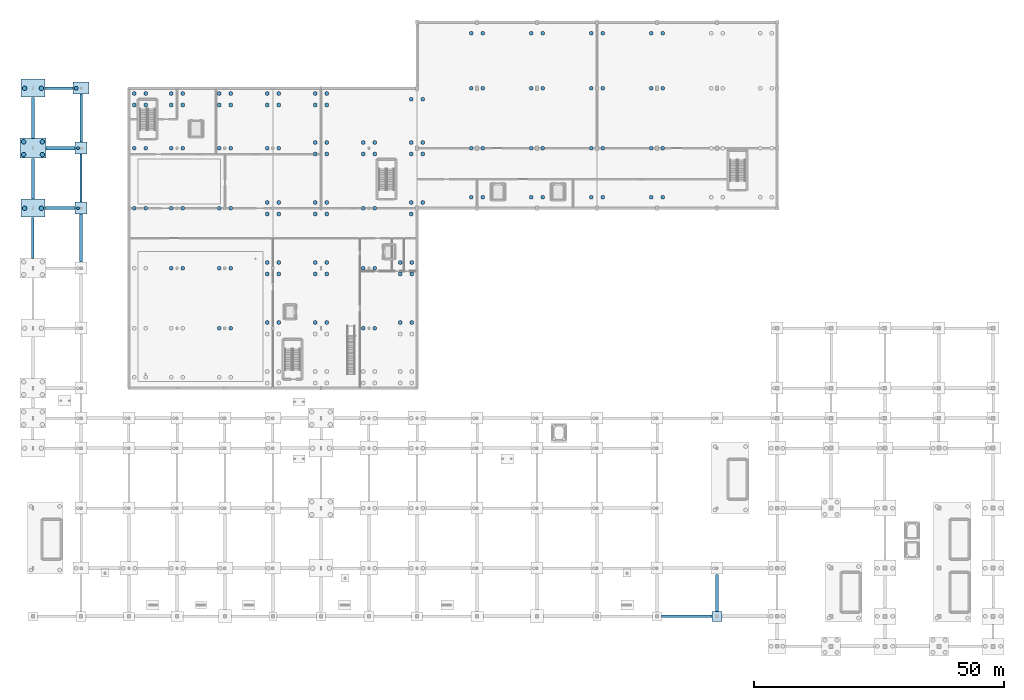
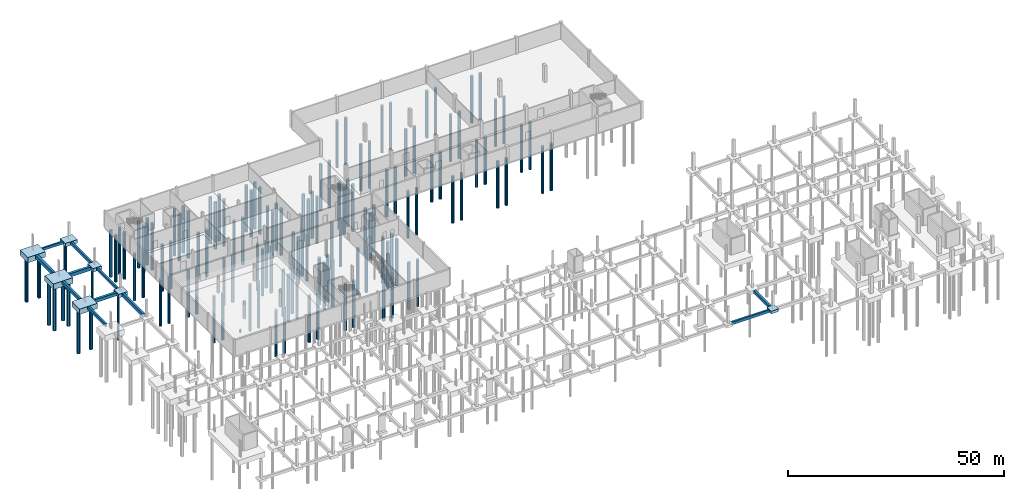
# One storey, part 4 of 31: 132 piles, 18 footings.
"""IFC4 building model written with IfcOpenShell, lengths in metres."""

import ifcopenshell
import ifcopenshell.guid

model = None  # the IFC model being written
_history = None  # IfcOwnerHistory: only IFC2X3 demands one
_inside = {}  # id of a spatial element -> (the spatial element, [elements in it])
_under = {}  # id of a project, library or spatial element -> (it, [spatial elements below it])
_declared = {}  # id of a project -> (the project, [libraries it declares])
_typed = {}  # id of a type object -> (the type object, [elements of that type])
_made_of = {}  # id of a material, layer set ... -> (it, [elements and type objects made of it])


def new_model(schema):
    """Start an empty IFC model of exactly this schema.

    Asked for "IFC4X3", IfcOpenShell would pick the latest addendum, in which some entities
    have other attributes; the version numbers below select the first issue.
    IFC2X3 requires an IfcOwnerHistory on every rooted entity: one is made here for all.
    """
    global model, _history
    if schema == "IFC4X3":
        model = ifcopenshell.file(schema_version=(4, 3, 0, 0))
    else:
        model = ifcopenshell.file(schema=schema)
    _inside.clear()
    _under.clear()
    _declared.clear()
    _typed.clear()
    _made_of.clear()
    _history = None
    if model.schema == "IFC2X3":
        org = make("IfcOrganization", Name="unknown")
        user = make(
            "IfcPersonAndOrganization",
            ThePerson=make("IfcPerson", FamilyName="unknown"),
            TheOrganization=org,
        )
        app = make(
            "IfcApplication",
            ApplicationDeveloper=org,
            Version="unknown",
            ApplicationFullName="unknown",
            ApplicationIdentifier="unknown",
        )
        _history = make(
            "IfcOwnerHistory",
            OwningUser=user,
            OwningApplication=app,
            ChangeAction="ADDED",
            CreationDate=0,
        )
    return model


def make(cls, **values):
    """One entity of the class cls with the attributes given. An attribute that is None is left unset."""
    return model.create_entity(
        cls, **{name: value for name, value in values.items() if value is not None}
    )


def rooted(cls, **values):
    """An entity with a GlobalId (a new one), such as an element, a storey or a relation."""
    return make(cls, GlobalId=ifcopenshell.guid.new(), OwnerHistory=_history, **values)


def si_unit(unit_type, name, prefix=None):
    """IfcSIUnit, for example si_unit("LENGTHUNIT", "METRE", prefix="MILLI")."""
    return make("IfcSIUnit", UnitType=unit_type, Prefix=prefix, Name=name)


def assignment(units):
    """IfcUnitAssignment: the units of a project."""
    return None if units is None else make("IfcUnitAssignment", Units=units)


def point(xyz):
    """IfcCartesianPoint."""
    return None if xyz is None else make("IfcCartesianPoint", Coordinates=xyz)


def direction(xyz):
    """IfcDirection."""
    return None if xyz is None else make("IfcDirection", DirectionRatios=xyz)


def frame(location, z_axis=None, x_axis=None):
    """IfcAxis2Placement3D, a coordinate frame: its origin and axes. An axis left out is left unset."""
    return make(
        "IfcAxis2Placement3D",
        Location=point(location),
        Axis=direction(z_axis),
        RefDirection=direction(x_axis),
    )


def frame_2d(location, x_axis=None):
    """IfcAxis2Placement2D, a coordinate frame in the plane: its origin and x axis."""
    return make(
        "IfcAxis2Placement2D", Location=point(location), RefDirection=direction(x_axis)
    )


def origin():
    """The frame at (0, 0, 0) with its axes left unset."""
    return frame((0.0, 0.0, 0.0))


def origin_2d():
    """The frame at (0, 0) in the plane with its x axis left unset."""
    return frame_2d((0.0, 0.0))


def place(relative_to, where):
    """IfcLocalPlacement: puts the frame where relative to a parent placement (None: the world)."""
    return make(
        "IfcLocalPlacement", PlacementRelTo=relative_to, RelativePlacement=where
    )


def context(
    kind, dimensions, precision=None, world=None, true_north=None, identifier=None
):
    """IfcGeometricRepresentationContext, for example the 3D "Model" context."""
    return make(
        "IfcGeometricRepresentationContext",
        ContextIdentifier=identifier,
        ContextType=kind,
        CoordinateSpaceDimension=dimensions,
        Precision=precision,
        WorldCoordinateSystem=world,
        TrueNorth=true_north,
    )


def subcontext(parent, identifier, kind, view, scale=None):
    """IfcGeometricRepresentationSubContext, for example "Body" below "Model"."""
    return make(
        "IfcGeometricRepresentationSubContext",
        ContextIdentifier=identifier,
        ContextType=kind,
        ParentContext=parent,
        TargetScale=scale,
        TargetView=view,
    )


def project(units=None, contexts=None):
    """IfcProject with its units and contexts."""
    return rooted(
        "IfcProject",
        Name="project",
        RepresentationContexts=contexts,
        UnitsInContext=assignment(units),
    )


def spatial(cls, under=None, at=None, **own):
    """A site, building, storey or space (cls), placed at a placement, below another one or the project."""
    s = rooted(cls, ObjectPlacement=at, **own)
    if under is not None:
        _under.setdefault(under.id(), (under, []))[1].append(s)
    return s


def profile(cls, at=None, kind="AREA", **sizes):
    """A parametric profile (cls). Its sizes go by their IFC names, for example OverallWidth=200.0."""
    return make(cls, ProfileType=kind, Position=at, **sizes)


def rectangle(**sizes):
    """IfcRectangleProfileDef."""
    return profile("IfcRectangleProfileDef", **sizes)


def circle(**sizes):
    """IfcCircleProfileDef."""
    return profile("IfcCircleProfileDef", **sizes)


def extrude(swept, where, along, depth):
    """IfcExtrudedAreaSolid: the profile swept, set in the frame where, extruded along a direction by depth."""
    return make(
        "IfcExtrudedAreaSolid",
        SweptArea=swept,
        Position=where,
        ExtrudedDirection=direction(along),
        Depth=depth,
    )


def shape(context_of_items, identifier, shape_type, items):
    """IfcShapeRepresentation: the items that make up one representation, for example the "Body"."""
    return make(
        "IfcShapeRepresentation",
        ContextOfItems=context_of_items,
        RepresentationIdentifier=identifier,
        RepresentationType=shape_type,
        Items=items,
    )


def material(Name=None, Category=None):
    """IfcMaterial."""
    return make("IfcMaterial", Name=Name, Category=Category)


def layer(
    of_material, thickness, ventilated=None, Name=None, Category=None, Priority=None
):
    """IfcMaterialLayer: one layer of a wall or slab, of a material (None: an air gap)."""
    return make(
        "IfcMaterialLayer",
        Material=of_material,
        LayerThickness=thickness,
        IsVentilated=ventilated,
        Name=Name,
        Category=Category,
        Priority=Priority,
    )


def layer_set(layers, Name=None):
    """IfcMaterialLayerSet."""
    return make("IfcMaterialLayerSet", MaterialLayers=layers, LayerSetName=Name)


def material_profile(
    of_material, cross_section, Name=None, Category=None, Priority=None
):
    """IfcMaterialProfile: a cross section and its material."""
    return make(
        "IfcMaterialProfile",
        Name=Name,
        Material=of_material,
        Profile=cross_section,
        Priority=Priority,
        Category=Category,
    )


def profile_set(profiles, Name=None, composite=None):
    """IfcMaterialProfileSet."""
    return make(
        "IfcMaterialProfileSet",
        Name=Name,
        MaterialProfiles=profiles,
        CompositeProfile=composite,
    )


def made_of(thing, what):
    """Note that an element or type object is made of a material, layer set ...; save() writes the relation."""
    if what is not None:
        _made_of.setdefault(what.id(), (what, []))[1].append(thing)
    return thing


def type_object(cls, material=None, **own):
    """A type object (cls), such as IfcWallType, which elements share."""
    return made_of(rooted(cls, **own), material)


def element(
    cls,
    number,
    at=None,
    inside=None,
    cuts=None,
    type_object=None,
    material=None,
    context=None,
    identifier="Body",
    shape_type=None,
    held_by="IfcProductDefinitionShape",
    body=None,
    shapes=None,
    **own,
):
    """One element of the class cls, such as IfcWall. Its Tag is "e" and its number.

    at: its placement. inside: the storey or other place that contains it. cuts: it is an
    opening in that element (IfcRelVoidsElement). A single representation is given by context,
    identifier, shape_type and body (its items); several are given by shapes. held_by: the class
    of the entity that holds the representations. save() writes the other relations.
    """
    e = rooted(cls, Tag="e%d" % number, ObjectPlacement=at, **own)
    if body is not None:
        shapes = [shape(context, identifier, shape_type, body)]
    if shapes is not None:
        e.Representation = make(held_by, Representations=shapes)
    if inside is not None:
        _inside.setdefault(inside.id(), (inside, []))[1].append(e)
    if cuts is not None:
        rooted(
            "IfcRelVoidsElement", RelatingBuildingElement=cuts, RelatedOpeningElement=e
        )
    if type_object is not None:
        _typed.setdefault(type_object.id(), (type_object, []))[1].append(e)
    return made_of(e, material)


def aggregate(whole, parts):
    """IfcRelAggregates: a whole, such as a stair, and the parts it consists of."""
    return rooted("IfcRelAggregates", RelatingObject=whole, RelatedObjects=parts)


def save(model, path):
    """Write the relations noted so far, then the file.

    IfcRelAggregates (storeys below a building ...), IfcRelContainedInSpatialStructure (elements
    in a storey), IfcRelDefinesByType, IfcRelAssociatesMaterial and IfcRelDeclares: one each for
    every whole, place, type object, material and project.
    """
    for whole, parts in _under.values():
        aggregate(whole, parts)
    for where, things in _inside.values():
        rooted(
            "IfcRelContainedInSpatialStructure",
            RelatedElements=things,
            RelatingStructure=where,
        )
    for kind, things in _typed.values():
        rooted("IfcRelDefinesByType", RelatedObjects=things, RelatingType=kind)
    for what, things in _made_of.values():
        rooted("IfcRelAssociatesMaterial", RelatedObjects=things, RelatingMaterial=what)
    for by, libraries in _declared.values():
        rooted("IfcRelDeclares", RelatingContext=by, RelatedDefinitions=libraries)
    model.write(path)


model = new_model("IFC4")

# Units and contexts
model_context = context("Model", 3, precision=1e-05, world=origin(), true_north=direction((0.0, 1.0)))
body_context = subcontext(model_context, "Body", "Model", "MODEL_VIEW")
ifc_project = project(units=[si_unit("LENGTHUNIT", "METRE"), si_unit("AREAUNIT", "SQUARE_METRE"), si_unit("VOLUMEUNIT", "CUBIC_METRE"), si_unit("PLANEANGLEUNIT", "RADIAN"), si_unit("MASSUNIT", "GRAM", prefix="KILO")], contexts=[model_context])

# Site, building, storey
site_placement = place(None, origin())
site = spatial("IfcSite", under=ifc_project, at=site_placement, CompositionType="ELEMENT")
building_placement = place(site_placement, origin())
building = spatial("IfcBuilding", under=site, at=building_placement, Name="Merenkruunu Market Hall", CompositionType="ELEMENT")
storey_placement = place(building_placement, frame((0.0, 0.0, -4.800048828125)))
storey = spatial("IfcBuildingStorey", under=building, at=storey_placement, Name="B1", CompositionType="ELEMENT", Elevation=-4.800048828125)

# Footings
ifc_material = material(Name="Concrete C35/45", Category="concrete")
ifc_layer_1 = layer(ifc_material, 1.0)
ifc_layer_set_1 = layer_set([ifc_layer_1], Name="Concrete C35/45")
footing_type_1 = type_object("IfcFootingType", Name="Multi Pile Cap PC01", PredefinedType="PILE_CAP", material=ifc_layer_set_1)
for number, where, z_axis, x_axis, name in (
    (1, (9.60009765625, 87.60009765625, -1.0), (0.0, 0.0, 1.0), (1.0, 0.0, 0.0), "FTG-CAP-B-10"),
    (2, (9.60009765625, 99.60009765625, -1.0), (0.0, 0.0, 1.0), (1.0, 0.0, 0.0), "FTG-CAP-B-11"),
):
    element("IfcFooting", number, at=place(storey_placement, frame(where, z_axis=z_axis, x_axis=x_axis)), inside=storey, type_object=footing_type_1, Name=name, PredefinedType="PILE_CAP", context=body_context, shape_type="SweptSolid", body=[
        extrude(rectangle(XDim=2.39990234375, YDim=2.39990234375, at=origin_2d()), origin(), (0.0, 0.0, 1.0), 1.0),
    ])
ifc_layer_2 = layer(ifc_material, 1.0)
ifc_layer_set_2 = layer_set([ifc_layer_2], Name="Concrete C35/45")
footing_type_2 = type_object("IfcFootingType", Name="Multi Pile Cap PC03", PredefinedType="PILE_CAP", material=ifc_layer_set_2)
footing_1_placement = place(storey_placement, frame((9.60009765625, 111.60009765625, -1.0), z_axis=(0.0, 0.0, 1.0), x_axis=(1.0, 0.0, 0.0)))
element("IfcFooting", 3, at=footing_1_placement, inside=storey, type_object=footing_type_2, Name="FTG-CAP-B-12", PredefinedType="PILE_CAP", context=body_context, shape_type="SweptSolid", body=[
    extrude(rectangle(XDim=3.199951171875, YDim=2.39990234375, at=origin_2d()), origin(), (0.0, 0.0, 1.0), 1.0),
])
ifc_layer_3 = layer(ifc_material, 1.5)
ifc_layer_set_3 = layer_set([ifc_layer_3], Name="Concrete C35/45")
footing_type_3 = type_object("IfcFootingType", Name="Multi Pile Cap PC07", PredefinedType="PILE_CAP", material=ifc_layer_set_3)
for number, where, z_axis, x_axis, name in (
    (4, (0.0, 87.60009765625, -1.5), (0.0, 0.0, 1.0), (1.0, 0.0, 0.0), "FTG-CAP-A-10"),
    (5, (0.0, 111.60009765625, -1.5), (0.0, 0.0, 1.0), (1.0, 0.0, 0.0), "FTG-CAP-A-12"),
):
    element("IfcFooting", number, at=place(storey_placement, frame(where, z_axis=z_axis, x_axis=x_axis)), inside=storey, type_object=footing_type_3, Name=name, PredefinedType="PILE_CAP", context=body_context, shape_type="SweptSolid", body=[
        extrude(rectangle(XDim=4.800048828125, YDim=3.60009765625, at=origin_2d()), origin(), (0.0, 0.0, 1.0), 1.5),
    ])
ifc_layer_4 = layer(ifc_material, 1.60009765625)
ifc_layer_set_4 = layer_set([ifc_layer_4], Name="Concrete C35/45")
footing_type_4 = type_object("IfcFootingType", Name="Multi Pile Cap PC08", PredefinedType="PILE_CAP", material=ifc_layer_set_4)
footing_2_placement = place(storey_placement, frame((0.0, 99.60009765625, -1.60009765625), z_axis=(0.0, 0.0, 1.0), x_axis=(1.0, 0.0, 0.0)))
element("IfcFooting", 6, at=footing_2_placement, inside=storey, type_object=footing_type_4, Name="FTG-CAP-A-11", PredefinedType="PILE_CAP", context=body_context, shape_type="SweptSolid", body=[
    extrude(rectangle(XDim=5.199951171875, YDim=4.0, at=origin_2d()), origin(), (0.0, 0.0, 1.0), 1.60009765625),
])

# Piles
ifc_material_profile_1 = material_profile(ifc_material, circle(Radius=0.300048828125, at=origin_2d()), Name="BORED PILE 600")
ifc_profile_set_1 = profile_set([ifc_material_profile_1], Name="Concrete C35/45")
pile_type_1 = type_object("IfcPileType", Name="Rock Socketed Bored Pile P01", PredefinedType="BORED", material=ifc_profile_set_1)
for number, where, z_axis, x_axis, name in (
    (7, (8.97998046875, 87.60009765625, -0.89990234375), (0.0, 0.0, -1.0), (1.0, 0.0, 0.0), "PILE-P01-0227"),
    (8, (8.97998046875, 99.60009765625, -0.89990234375), (0.0, 0.0, -1.0), (1.0, 0.0, 0.0), "PILE-P01-0228"),
):
    element("IfcPile", number, at=place(storey_placement, frame(where, z_axis=z_axis, x_axis=x_axis)), inside=storey, type_object=pile_type_1, Name=name, PredefinedType="BORED", context=body_context, shape_type="SweptSolid", body=[
        extrude(circle(Radius=0.300048828125, at=origin_2d()), origin(), (0.0, 0.0, 1.0), 12.800048828125),
    ])
ifc_material_profile_2 = material_profile(ifc_material, circle(Radius=0.375, at=origin_2d()), Name="BORED PILE 750")
ifc_profile_set_2 = profile_set([ifc_material_profile_2], Name="Concrete C35/45")
pile_type_2 = type_object("IfcPileType", Name="Rock Socketed Bored Pile P02", PredefinedType="BORED", material=ifc_profile_set_2)
for number, where, z_axis, x_axis, name in (
    (9, (20.25, 87.60009765625, -0.5), (0.0, 0.0, -1.0), (1.0, 0.0, 0.0), "PILE-P02-0007"),
    (10, (22.550048828125, 87.60009765625, -0.5), (0.0, 0.0, -1.0), (1.0, 0.0, 0.0), "PILE-P02-0008"),
    (11, (20.25, 99.60009765625, -0.5), (0.0, 0.0, -1.0), (1.0, 0.0, 0.0), "PILE-P02-0009"),
    (12, (22.550048828125, 99.60009765625, -0.5), (0.0, 0.0, -1.0), (1.0, 0.0, 0.0), "PILE-P02-0010"),
    (13, (27.64990234375, 75.60009765625, -0.5), (0.0, 0.0, -1.0), (1.0, 0.0, 0.0), "PILE-P02-0019"),
    (14, (29.949951171875, 75.60009765625, -0.5), (0.0, 0.0, -1.0), (1.0, 0.0, 0.0), "PILE-P02-0020"),
    (15, (27.64990234375, 87.60009765625, -0.5), (0.0, 0.0, -1.0), (1.0, 0.0, 0.0), "PILE-P02-0021"),
    (16, (29.949951171875, 87.60009765625, -0.5), (0.0, 0.0, -1.0), (1.0, 0.0, 0.0), "PILE-P02-0022"),
    (17, (27.64990234375, 99.60009765625, -0.5), (0.0, 0.0, -1.0), (1.0, 0.0, 0.0), "PILE-P02-0023"),
    (18, (29.949951171875, 99.60009765625, -0.5), (0.0, 0.0, -1.0), (1.0, 0.0, 0.0), "PILE-P02-0024"),
    (19, (37.25, 63.60009765625, -0.5), (0.0, 0.0, -1.0), (1.0, 0.0, 0.0), "PILE-P02-0031"),
    (20, (39.550048828125, 63.60009765625, -0.5), (0.0, 0.0, -1.0), (1.0, 0.0, 0.0), "PILE-P02-0032"),
    (21, (37.25, 75.60009765625, -0.5), (0.0, 0.0, -1.0), (1.0, 0.0, 0.0), "PILE-P02-0033"),
    (22, (39.550048828125, 75.60009765625, -0.5), (0.0, 0.0, -1.0), (1.0, 0.0, 0.0), "PILE-P02-0034"),
    (23, (37.25, 87.60009765625, -0.5), (0.0, 0.0, -1.0), (1.0, 0.0, 0.0), "PILE-P02-0035"),
    (24, (39.550048828125, 87.60009765625, -0.5), (0.0, 0.0, -1.0), (1.0, 0.0, 0.0), "PILE-P02-0036"),
    (25, (37.25, 99.60009765625, -0.5), (0.0, 0.0, -1.0), (1.0, 0.0, 0.0), "PILE-P02-0037"),
    (26, (39.550048828125, 99.60009765625, -0.5), (0.0, 0.0, -1.0), (1.0, 0.0, 0.0), "PILE-P02-0038"),
    (27, (46.85009765625, 99.60009765625, -0.5), (0.0, 0.0, -1.0), (1.0, 0.0, 0.0), "PILE-P02-0059"),
    (28, (49.14990234375, 99.60009765625, -0.5), (0.0, 0.0, -1.0), (1.0, 0.0, 0.0), "PILE-P02-0060"),
    (29, (66.050048828125, 63.60009765625, -0.5), (0.0, 0.0, -1.0), (1.0, 0.0, 0.0), "PILE-P02-0093"),
    (30, (68.35009765625, 63.60009765625, -0.5), (0.0, 0.0, -1.0), (1.0, 0.0, 0.0), "PILE-P02-0094"),
    (31, (66.050048828125, 75.60009765625, -0.5), (0.0, 0.0, -1.0), (1.0, 0.0, 0.0), "PILE-P02-0095"),
    (32, (68.35009765625, 75.60009765625, -0.5), (0.0, 0.0, -1.0), (1.0, 0.0, 0.0), "PILE-P02-0096"),
    (33, (66.050048828125, 87.60009765625, -0.5), (0.0, 0.0, -1.0), (1.0, 0.0, 0.0), "PILE-P02-0097"),
    (34, (68.35009765625, 87.60009765625, -0.5), (0.0, 0.0, -1.0), (1.0, 0.0, 0.0), "PILE-P02-0098"),
    (35, (75.64990234375, 109.39990234375, -0.5), (0.0, 0.0, -1.0), (1.0, 0.0, 0.0), "PILE-P02-0122"),
):
    element("IfcPile", number, at=place(storey_placement, frame(where, z_axis=z_axis, x_axis=x_axis)), inside=storey, type_object=pile_type_2, Name=name, PredefinedType="BORED", context=body_context, shape_type="SweptSolid", body=[
        extrude(circle(Radius=0.375, at=origin_2d()), origin(), (0.0, 0.0, 1.0), 13.199951171875),
    ])
for number, where, z_axis, x_axis, name in (
    (36, (77.949951171875, 109.39990234375, -0.419921875), (0.0, 0.0, -1.0), (1.0, 0.0, 0.0), "PILE-P02-0123"),
    (37, (87.64990234375, 89.800048828125, -0.419921875), (0.0, 0.0, -1.0), (1.0, 0.0, 0.0), "PILE-P02-0124"),
    (38, (89.949951171875, 89.800048828125, -0.419921875), (0.0, 0.0, -1.0), (1.0, 0.0, 0.0), "PILE-P02-0125"),
    (39, (87.64990234375, 99.60009765625, -0.419921875), (0.0, 0.0, -1.0), (1.0, 0.0, 0.0), "PILE-P02-0126"),
    (40, (89.949951171875, 99.60009765625, -0.419921875), (0.0, 0.0, -1.0), (1.0, 0.0, 0.0), "PILE-P02-0127"),
    (41, (87.64990234375, 111.60009765625, -0.419921875), (0.0, 0.0, -1.0), (1.0, 0.0, 0.0), "PILE-P02-0128"),
    (42, (89.949951171875, 111.60009765625, -0.419921875), (0.0, 0.0, -1.0), (1.0, 0.0, 0.0), "PILE-P02-0129"),
    (43, (87.64990234375, 122.60009765625, -0.419921875), (0.0, 0.0, -1.0), (1.0, 0.0, 0.0), "PILE-P02-0130"),
    (44, (89.949951171875, 122.60009765625, -0.419921875), (0.0, 0.0, -1.0), (1.0, 0.0, 0.0), "PILE-P02-0131"),
    (45, (99.64990234375, 89.800048828125, -0.419921875), (0.0, 0.0, -1.0), (1.0, 0.0, 0.0), "PILE-P02-0132"),
    (46, (101.949951171875, 89.800048828125, -0.419921875), (0.0, 0.0, -1.0), (1.0, 0.0, 0.0), "PILE-P02-0133"),
    (47, (99.64990234375, 99.60009765625, -0.419921875), (0.0, 0.0, -1.0), (1.0, 0.0, 0.0), "PILE-P02-0134"),
    (48, (101.949951171875, 99.60009765625, -0.419921875), (0.0, 0.0, -1.0), (1.0, 0.0, 0.0), "PILE-P02-0135"),
    (49, (99.64990234375, 111.60009765625, -0.419921875), (0.0, 0.0, -1.0), (1.0, 0.0, 0.0), "PILE-P02-0136"),
    (50, (101.949951171875, 111.60009765625, -0.419921875), (0.0, 0.0, -1.0), (1.0, 0.0, 0.0), "PILE-P02-0137"),
    (51, (99.64990234375, 122.60009765625, -0.419921875), (0.0, 0.0, -1.0), (1.0, 0.0, 0.0), "PILE-P02-0138"),
    (52, (101.949951171875, 122.60009765625, -0.419921875), (0.0, 0.0, -1.0), (1.0, 0.0, 0.0), "PILE-P02-0139"),
    (53, (111.64990234375, 89.800048828125, -0.419921875), (0.0, 0.0, -1.0), (1.0, 0.0, 0.0), "PILE-P02-0140"),
    (54, (113.949951171875, 89.800048828125, -0.419921875), (0.0, 0.0, -1.0), (1.0, 0.0, 0.0), "PILE-P02-0141"),
    (55, (111.64990234375, 99.60009765625, -0.419921875), (0.0, 0.0, -1.0), (1.0, 0.0, 0.0), "PILE-P02-0142"),
    (56, (113.949951171875, 99.60009765625, -0.419921875), (0.0, 0.0, -1.0), (1.0, 0.0, 0.0), "PILE-P02-0143"),
    (57, (111.64990234375, 111.60009765625, -0.419921875), (0.0, 0.0, -1.0), (1.0, 0.0, 0.0), "PILE-P02-0144"),
    (58, (113.949951171875, 111.60009765625, -0.419921875), (0.0, 0.0, -1.0), (1.0, 0.0, 0.0), "PILE-P02-0145"),
    (59, (111.64990234375, 122.60009765625, -0.419921875), (0.0, 0.0, -1.0), (1.0, 0.0, 0.0), "PILE-P02-0146"),
    (60, (113.949951171875, 122.60009765625, -0.419921875), (0.0, 0.0, -1.0), (1.0, 0.0, 0.0), "PILE-P02-0147"),
    (61, (123.64990234375, 89.800048828125, -0.419921875), (0.0, 0.0, -1.0), (1.0, 0.0, 0.0), "PILE-P02-0148"),
    (62, (125.949951171875, 89.800048828125, -0.419921875), (0.0, 0.0, -1.0), (1.0, 0.0, 0.0), "PILE-P02-0149"),
    (63, (123.64990234375, 99.60009765625, -0.419921875), (0.0, 0.0, -1.0), (1.0, 0.0, 0.0), "PILE-P02-0150"),
    (64, (125.949951171875, 99.60009765625, -0.419921875), (0.0, 0.0, -1.0), (1.0, 0.0, 0.0), "PILE-P02-0151"),
    (65, (123.64990234375, 111.60009765625, -0.419921875), (0.0, 0.0, -1.0), (1.0, 0.0, 0.0), "PILE-P02-0152"),
    (66, (125.949951171875, 111.60009765625, -0.419921875), (0.0, 0.0, -1.0), (1.0, 0.0, 0.0), "PILE-P02-0153"),
    (67, (123.64990234375, 122.60009765625, -0.419921875), (0.0, 0.0, -1.0), (1.0, 0.0, 0.0), "PILE-P02-0154"),
    (68, (125.949951171875, 122.60009765625, -0.419921875), (0.0, 0.0, -1.0), (1.0, 0.0, 0.0), "PILE-P02-0155"),
):
    element("IfcPile", number, at=place(storey_placement, frame(where, z_axis=z_axis, x_axis=x_axis)), inside=storey, type_object=pile_type_2, Name=name, PredefinedType="BORED", context=body_context, shape_type="SweptSolid", body=[
        extrude(circle(Radius=0.375, at=origin_2d()), origin(), (0.0, 0.0, 1.0), 13.280029296875),
    ])
pile_1_placement = place(storey_placement, frame((8.655029296875, 111.60009765625, -0.89990234375), z_axis=(0.0, 0.0, -1.0), x_axis=(1.0, 0.0, 0.0)))
element("IfcPile", 69, at=pile_1_placement, inside=storey, type_object=pile_type_2, Name="PILE-P02-0229", PredefinedType="BORED", context=body_context, shape_type="SweptSolid", body=[
    extrude(circle(Radius=0.375, at=origin_2d()), origin(), (0.0, 0.0, 1.0), 12.800048828125),
])
ifc_material_profile_3 = material_profile(ifc_material, circle(Radius=0.39990234375, at=origin_2d()), Name="BORED PILE 800")
ifc_profile_set_3 = profile_set([ifc_material_profile_3], Name="Concrete C35/45")
pile_type_3 = type_object("IfcPileType", Name="Rock Socketed Bored Pile P03", PredefinedType="BORED", material=ifc_profile_set_3)
for number, where, z_axis, x_axis, name in (
    (70, (20.25, 108.25, -0.5), (0.0, 0.0, -1.0), (1.0, 0.0, 0.0), "PILE-P03-0011"),
    (71, (22.550048828125, 108.25, -0.5), (0.0, 0.0, -1.0), (1.0, 0.0, 0.0), "PILE-P03-0012"),
    (72, (20.25, 110.550048828125, -0.5), (0.0, 0.0, -1.0), (1.0, 0.0, 0.0), "PILE-P03-0013"),
    (73, (22.550048828125, 110.550048828125, -0.5), (0.0, 0.0, -1.0), (1.0, 0.0, 0.0), "PILE-P03-0014"),
    (74, (27.64990234375, 108.25, -0.5), (0.0, 0.0, -1.0), (1.0, 0.0, 0.0), "PILE-P03-0025"),
    (75, (29.949951171875, 108.25, -0.5), (0.0, 0.0, -1.0), (1.0, 0.0, 0.0), "PILE-P03-0026"),
    (76, (27.64990234375, 110.550048828125, -0.5), (0.0, 0.0, -1.0), (1.0, 0.0, 0.0), "PILE-P03-0027"),
    (77, (29.949951171875, 110.550048828125, -0.5), (0.0, 0.0, -1.0), (1.0, 0.0, 0.0), "PILE-P03-0028"),
    (78, (37.25, 108.25, -0.5), (0.0, 0.0, -1.0), (1.0, 0.0, 0.0), "PILE-P03-0039"),
    (79, (39.550048828125, 108.25, -0.5), (0.0, 0.0, -1.0), (1.0, 0.0, 0.0), "PILE-P03-0040"),
    (80, (37.25, 110.550048828125, -0.5), (0.0, 0.0, -1.0), (1.0, 0.0, 0.0), "PILE-P03-0041"),
    (81, (39.550048828125, 110.550048828125, -0.5), (0.0, 0.0, -1.0), (1.0, 0.0, 0.0), "PILE-P03-0042"),
    (82, (46.85009765625, 64.75, -0.5), (0.0, 0.0, -1.0), (1.0, 0.0, 0.0), "PILE-P03-0049"),
    (83, (49.14990234375, 64.75, -0.5), (0.0, 0.0, -1.0), (1.0, 0.0, 0.0), "PILE-P03-0050"),
    (84, (46.85009765625, 74.449951171875, -0.5), (0.0, 0.0, -1.0), (1.0, 0.0, 0.0), "PILE-P03-0051"),
    (85, (49.14990234375, 74.449951171875, -0.5), (0.0, 0.0, -1.0), (1.0, 0.0, 0.0), "PILE-P03-0052"),
    (86, (46.85009765625, 76.75, -0.5), (0.0, 0.0, -1.0), (1.0, 0.0, 0.0), "PILE-P03-0053"),
    (87, (49.14990234375, 76.75, -0.5), (0.0, 0.0, -1.0), (1.0, 0.0, 0.0), "PILE-P03-0054"),
    (88, (46.85009765625, 86.449951171875, -0.5), (0.0, 0.0, -1.0), (1.0, 0.0, 0.0), "PILE-P03-0055"),
    (89, (49.14990234375, 86.449951171875, -0.5), (0.0, 0.0, -1.0), (1.0, 0.0, 0.0), "PILE-P03-0056"),
    (90, (46.85009765625, 88.75, -0.5), (0.0, 0.0, -1.0), (1.0, 0.0, 0.0), "PILE-P03-0057"),
    (91, (49.14990234375, 88.75, -0.5), (0.0, 0.0, -1.0), (1.0, 0.0, 0.0), "PILE-P03-0058"),
    (92, (46.85009765625, 108.25, -0.5), (0.0, 0.0, -1.0), (1.0, 0.0, 0.0), "PILE-P03-0061"),
    (93, (49.14990234375, 108.25, -0.5), (0.0, 0.0, -1.0), (1.0, 0.0, 0.0), "PILE-P03-0062"),
    (94, (46.85009765625, 110.550048828125, -0.5), (0.0, 0.0, -1.0), (1.0, 0.0, 0.0), "PILE-P03-0063"),
    (95, (49.14990234375, 110.550048828125, -0.5), (0.0, 0.0, -1.0), (1.0, 0.0, 0.0), "PILE-P03-0064"),
    (96, (56.449951171875, 64.75, -0.5), (0.0, 0.0, -1.0), (1.0, 0.0, 0.0), "PILE-P03-0071"),
    (97, (58.75, 64.75, -0.5), (0.0, 0.0, -1.0), (1.0, 0.0, 0.0), "PILE-P03-0072"),
    (98, (56.449951171875, 74.449951171875, -0.5), (0.0, 0.0, -1.0), (1.0, 0.0, 0.0), "PILE-P03-0073"),
    (99, (58.75, 74.449951171875, -0.5), (0.0, 0.0, -1.0), (1.0, 0.0, 0.0), "PILE-P03-0074"),
    (100, (56.449951171875, 76.75, -0.5), (0.0, 0.0, -1.0), (1.0, 0.0, 0.0), "PILE-P03-0075"),
    (101, (58.75, 76.75, -0.5), (0.0, 0.0, -1.0), (1.0, 0.0, 0.0), "PILE-P03-0076"),
    (102, (56.449951171875, 86.449951171875, -0.5), (0.0, 0.0, -1.0), (1.0, 0.0, 0.0), "PILE-P03-0077"),
    (103, (58.75, 86.449951171875, -0.5), (0.0, 0.0, -1.0), (1.0, 0.0, 0.0), "PILE-P03-0078"),
    (104, (56.449951171875, 88.75, -0.5), (0.0, 0.0, -1.0), (1.0, 0.0, 0.0), "PILE-P03-0079"),
    (105, (58.75, 88.75, -0.5), (0.0, 0.0, -1.0), (1.0, 0.0, 0.0), "PILE-P03-0080"),
    (106, (56.449951171875, 98.449951171875, -0.5), (0.0, 0.0, -1.0), (1.0, 0.0, 0.0), "PILE-P03-0081"),
    (107, (58.75, 98.449951171875, -0.5), (0.0, 0.0, -1.0), (1.0, 0.0, 0.0), "PILE-P03-0082"),
    (108, (56.449951171875, 100.75, -0.5), (0.0, 0.0, -1.0), (1.0, 0.0, 0.0), "PILE-P03-0083"),
    (109, (58.75, 100.75, -0.5), (0.0, 0.0, -1.0), (1.0, 0.0, 0.0), "PILE-P03-0084"),
    (110, (56.449951171875, 108.25, -0.5), (0.0, 0.0, -1.0), (1.0, 0.0, 0.0), "PILE-P03-0085"),
    (111, (58.75, 108.25, -0.5), (0.0, 0.0, -1.0), (1.0, 0.0, 0.0), "PILE-P03-0086"),
    (112, (56.449951171875, 110.550048828125, -0.5), (0.0, 0.0, -1.0), (1.0, 0.0, 0.0), "PILE-P03-0087"),
    (113, (58.75, 110.550048828125, -0.5), (0.0, 0.0, -1.0), (1.0, 0.0, 0.0), "PILE-P03-0088"),
    (114, (66.050048828125, 98.449951171875, -0.5), (0.0, 0.0, -1.0), (1.0, 0.0, 0.0), "PILE-P03-0099"),
    (115, (68.35009765625, 98.449951171875, -0.5), (0.0, 0.0, -1.0), (1.0, 0.0, 0.0), "PILE-P03-0100"),
    (116, (66.050048828125, 100.75, -0.5), (0.0, 0.0, -1.0), (1.0, 0.0, 0.0), "PILE-P03-0101"),
    (117, (68.35009765625, 100.75, -0.5), (0.0, 0.0, -1.0), (1.0, 0.0, 0.0), "PILE-P03-0102"),
    (118, (73.449951171875, 64.75, -0.5), (0.0, 0.0, -1.0), (1.0, 0.0, 0.0), "PILE-P03-0109"),
    (119, (75.75, 64.75, -0.5), (0.0, 0.0, -1.0), (1.0, 0.0, 0.0), "PILE-P03-0110"),
    (120, (73.449951171875, 74.449951171875, -0.5), (0.0, 0.0, -1.0), (1.0, 0.0, 0.0), "PILE-P03-0111"),
    (121, (75.75, 74.449951171875, -0.5), (0.0, 0.0, -1.0), (1.0, 0.0, 0.0), "PILE-P03-0112"),
    (122, (73.449951171875, 76.75, -0.5), (0.0, 0.0, -1.0), (1.0, 0.0, 0.0), "PILE-P03-0113"),
    (123, (75.75, 76.75, -0.5), (0.0, 0.0, -1.0), (1.0, 0.0, 0.0), "PILE-P03-0114"),
    (124, (75.64990234375, 86.449951171875, -0.5), (0.0, 0.0, -1.0), (1.0, 0.0, 0.0), "PILE-P03-0115"),
    (125, (75.64990234375, 88.75, -0.5), (0.0, 0.0, -1.0), (1.0, 0.0, 0.0), "PILE-P03-0116"),
):
    element("IfcPile", number, at=place(storey_placement, frame(where, z_axis=z_axis, x_axis=x_axis)), inside=storey, type_object=pile_type_3, Name=name, PredefinedType="BORED", context=body_context, shape_type="SweptSolid", body=[
        extrude(circle(Radius=0.39990234375, at=origin_2d()), origin(), (0.0, 0.0, 1.0), 13.199951171875),
    ])
pile_2_placement = place(storey_placement, frame((77.949951171875, 88.75, -0.419921875), z_axis=(0.0, 0.0, -1.0), x_axis=(1.0, 0.0, 0.0)))
element("IfcPile", 126, at=pile_2_placement, inside=storey, type_object=pile_type_3, Name="PILE-P03-0117", PredefinedType="BORED", context=body_context, shape_type="SweptSolid", body=[
    extrude(circle(Radius=0.39990234375, at=origin_2d()), origin(), (0.0, 0.0, 1.0), 13.280029296875),
])
pile_3_placement = place(storey_placement, frame((75.64990234375, 98.449951171875, -0.5), z_axis=(0.0, 0.0, -1.0), x_axis=(1.0, 0.0, 0.0)))
element("IfcPile", 127, at=pile_3_placement, inside=storey, type_object=pile_type_3, Name="PILE-P03-0118", PredefinedType="BORED", context=body_context, shape_type="SweptSolid", body=[
    extrude(circle(Radius=0.39990234375, at=origin_2d()), origin(), (0.0, 0.0, 1.0), 13.199951171875),
])
pile_4_placement = place(storey_placement, frame((77.949951171875, 98.449951171875, -0.419921875), z_axis=(0.0, 0.0, -1.0), x_axis=(1.0, 0.0, 0.0)))
element("IfcPile", 128, at=pile_4_placement, inside=storey, type_object=pile_type_3, Name="PILE-P03-0119", PredefinedType="BORED", context=body_context, shape_type="SweptSolid", body=[
    extrude(circle(Radius=0.39990234375, at=origin_2d()), origin(), (0.0, 0.0, 1.0), 13.280029296875),
])
pile_5_placement = place(storey_placement, frame((75.64990234375, 100.75, -0.5), z_axis=(0.0, 0.0, -1.0), x_axis=(1.0, 0.0, 0.0)))
element("IfcPile", 129, at=pile_5_placement, inside=storey, type_object=pile_type_3, Name="PILE-P03-0120", PredefinedType="BORED", context=body_context, shape_type="SweptSolid", body=[
    extrude(circle(Radius=0.39990234375, at=origin_2d()), origin(), (0.0, 0.0, 1.0), 13.199951171875),
])
pile_6_placement = place(storey_placement, frame((77.949951171875, 100.75, -0.419921875), z_axis=(0.0, 0.0, -1.0), x_axis=(1.0, 0.0, 0.0)))
element("IfcPile", 130, at=pile_6_placement, inside=storey, type_object=pile_type_3, Name="PILE-P03-0121", PredefinedType="BORED", context=body_context, shape_type="SweptSolid", body=[
    extrude(circle(Radius=0.39990234375, at=origin_2d()), origin(), (0.0, 0.0, 1.0), 13.280029296875),
])
ifc_material_profile_4 = material_profile(ifc_material, circle(Radius=0.449951171875, at=origin_2d()), Name="BORED PILE 900")
ifc_profile_set_4 = profile_set([ifc_material_profile_4], Name="Concrete C35/45")
pile_type_4 = type_object("IfcPileType", Name="Rock Socketed Bored Pile P04", PredefinedType="BORED", material=ifc_profile_set_4)
for number, where, z_axis, x_axis, name in (
    (131, (-1.669921875, 87.60009765625, -1.39990234375), (0.0, 0.0, -1.0), (1.0, 0.0, 0.0), "PILE-P04-0212"),
    (132, (1.669921875, 87.60009765625, -1.39990234375), (0.0, 0.0, -1.0), (1.0, 0.0, 0.0), "PILE-P04-0213"),
):
    element("IfcPile", number, at=place(storey_placement, frame(where, z_axis=z_axis, x_axis=x_axis)), inside=storey, type_object=pile_type_4, Name=name, PredefinedType="BORED", context=body_context, shape_type="SweptSolid", body=[
        extrude(circle(Radius=0.449951171875, at=origin_2d()), origin(), (0.0, 0.0, 1.0), 12.300048828125),
    ])
for number, where, z_axis, x_axis, name in (
    (133, (-1.8701171875, 98.330078125, -1.5), (0.0, 0.0, -1.0), (1.0, 0.0, 0.0), "PILE-P04-0214"),
    (134, (1.8701171875, 98.330078125, -1.5), (0.0, 0.0, -1.0), (1.0, 0.0, 0.0), "PILE-P04-0215"),
    (135, (-1.8701171875, 100.8701171875, -1.5), (0.0, 0.0, -1.0), (1.0, 0.0, 0.0), "PILE-P04-0216"),
    (136, (1.8701171875, 100.8701171875, -1.5), (0.0, 0.0, -1.0), (1.0, 0.0, 0.0), "PILE-P04-0217"),
):
    element("IfcPile", number, at=place(storey_placement, frame(where, z_axis=z_axis, x_axis=x_axis)), inside=storey, type_object=pile_type_4, Name=name, PredefinedType="BORED", context=body_context, shape_type="SweptSolid", body=[
        extrude(circle(Radius=0.449951171875, at=origin_2d()), origin(), (0.0, 0.0, 1.0), 12.199951171875),
    ])
for number, where, z_axis, x_axis, name in (
    (137, (-1.669921875, 111.60009765625, -1.39990234375), (0.0, 0.0, -1.0), (1.0, 0.0, 0.0), "PILE-P04-0218"),
    (138, (1.669921875, 111.60009765625, -1.39990234375), (0.0, 0.0, -1.0), (1.0, 0.0, 0.0), "PILE-P04-0219"),
):
    element("IfcPile", number, at=place(storey_placement, frame(where, z_axis=z_axis, x_axis=x_axis)), inside=storey, type_object=pile_type_4, Name=name, PredefinedType="BORED", context=body_context, shape_type="SweptSolid", body=[
        extrude(circle(Radius=0.449951171875, at=origin_2d()), origin(), (0.0, 0.0, 1.0), 12.300048828125),
    ])

# Footings
ifc_layer_5 = layer(ifc_material, 0.75)
ifc_layer_set_5 = layer_set([ifc_layer_5], Name="Concrete C35/45")
footing_type_5 = type_object("IfcFootingType", Name="Spread Pad Footing PF02", PredefinedType="PAD_FOOTING", material=ifc_layer_set_5)
footing_3_placement = place(storey_placement, frame((136.800048828125, 6.0, -0.75), z_axis=(0.0, 0.0, 1.0), x_axis=(1.0, 0.0, 0.0)))
element("IfcFooting", 139, at=footing_3_placement, inside=storey, type_object=footing_type_5, Name="FTG-PAD-P-02", PredefinedType="PAD_FOOTING", context=body_context, shape_type="SweptSolid", body=[
    extrude(rectangle(XDim=2.0, YDim=2.0, at=origin_2d()), origin(), (0.0, 0.0, 1.0), 0.75),
])
ifc_layer_6 = layer(ifc_material, 0.800048828125)
ifc_layer_set_6 = layer_set([ifc_layer_6], Name="Concrete C35/45")
footing_type_6 = type_object("IfcFootingType", Name="Tie Ground Beam GB01", PredefinedType="FOOTING_BEAM", material=ifc_layer_set_6)
footing_4_placement = place(storey_placement, frame((130.75, 6.0, -0.7998046875), z_axis=(0.0, 0.0, 1.0), x_axis=(1.0, 0.0, 0.0)))
element("IfcFooting", 140, at=footing_4_placement, inside=storey, type_object=footing_type_6, Name="FTG-GB-EW-017", PredefinedType="FOOTING_BEAM", context=body_context, shape_type="SweptSolid", body=[
    extrude(rectangle(XDim=10.10009765625, YDim=0.5, at=origin_2d()), origin(), (0.0, 0.0, 1.0), 0.800048828125),
])
footing_5_placement = place(storey_placement, frame((0.0, 81.699951171875, -0.7998046875), z_axis=(0.0, 0.0, 1.0), x_axis=(0.0, 1.0, 0.0)))
element("IfcFooting", 141, at=footing_5_placement, inside=storey, type_object=footing_type_6, Name="FTG-GB-NS-097", PredefinedType="FOOTING_BEAM", context=body_context, shape_type="SweptSolid", body=[
    extrude(rectangle(XDim=8.199951171875, YDim=0.5, at=origin_2d()), origin(), (0.0, 0.0, 1.0), 0.800048828125),
])
footing_6_placement = place(storey_placement, frame((9.60009765625, 105.60009765625, -0.7998046875), z_axis=(0.0, 0.0, 1.0), x_axis=(0.0, 1.0, 0.0)))
element("IfcFooting", 142, at=footing_6_placement, inside=storey, type_object=footing_type_6, Name="FTG-GB-NS-109", PredefinedType="FOOTING_BEAM", context=body_context, shape_type="SweptSolid", body=[
    extrude(rectangle(XDim=9.60009765625, YDim=0.5, at=origin_2d()), origin(), (0.0, 0.0, 1.0), 0.800048828125),
])
ifc_layer_7 = layer(ifc_material, 0.89990234375)
ifc_layer_set_7 = layer_set([ifc_layer_7], Name="Concrete C35/45")
footing_type_7 = type_object("IfcFootingType", Name="Tie Ground Beam GB02", PredefinedType="FOOTING_BEAM", material=ifc_layer_set_7)
footing_7_placement = place(storey_placement, frame((5.39990234375, 87.60009765625, -0.89990234375), z_axis=(0.0, 0.0, 1.0), x_axis=(1.0, 0.0, 0.0)))
element("IfcFooting", 143, at=footing_7_placement, inside=storey, type_object=footing_type_7, Name="FTG-GB-EW-090", PredefinedType="FOOTING_BEAM", context=body_context, shape_type="SweptSolid", body=[
    extrude(rectangle(XDim=6.0, YDim=0.60009765625, at=origin_2d()), origin(), (0.0, 0.0, 1.0), 0.89990234375),
])
footing_8_placement = place(storey_placement, frame((0.0, 93.5, -0.89990234375), z_axis=(0.0, 0.0, 1.0), x_axis=(0.0, 1.0, 0.0)))
element("IfcFooting", 144, at=footing_8_placement, inside=storey, type_object=footing_type_7, Name="FTG-GB-NS-098", PredefinedType="FOOTING_BEAM", context=body_context, shape_type="SweptSolid", body=[
    extrude(rectangle(XDim=8.199951171875, YDim=0.60009765625, at=origin_2d()), origin(), (0.0, 0.0, 1.0), 0.89990234375),
])
footing_9_placement = place(storey_placement, frame((136.800048828125, 10.699951171875, -0.89990234375), z_axis=(0.0, 0.0, 1.0), x_axis=(0.0, 1.0, 0.0)))
element("IfcFooting", 145, at=footing_9_placement, inside=storey, type_object=footing_type_7, Name="FTG-GB-NS-154", PredefinedType="FOOTING_BEAM", context=body_context, shape_type="SweptSolid", body=[
    extrude(rectangle(XDim=7.39990234375, YDim=0.60009765625, at=origin_2d()), origin(), (0.0, 0.0, 1.0), 0.89990234375),
])
ifc_layer_8 = layer(ifc_material, 1.0)
ifc_layer_set_8 = layer_set([ifc_layer_8], Name="Concrete C35/45")
footing_type_8 = type_object("IfcFootingType", Name="Tie Ground Beam GB03", PredefinedType="FOOTING_BEAM", material=ifc_layer_set_8)
footing_10_placement = place(storey_placement, frame((5.5, 99.60009765625, -1.0), z_axis=(0.0, 0.0, 1.0), x_axis=(1.0, 0.0, 0.0)))
element("IfcFooting", 146, at=footing_10_placement, inside=storey, type_object=footing_type_8, Name="FTG-GB-EW-091", PredefinedType="FOOTING_BEAM", context=body_context, shape_type="SweptSolid", body=[
    extrude(rectangle(XDim=5.800048828125, YDim=0.64990234375, at=origin_2d()), origin(), (0.0, 0.0, 1.0), 1.0),
])
footing_11_placement = place(storey_placement, frame((0.0, 105.699951171875, -1.0), z_axis=(0.0, 0.0, 1.0), x_axis=(0.0, 1.0, 0.0)))
element("IfcFooting", 147, at=footing_11_placement, inside=storey, type_object=footing_type_8, Name="FTG-GB-NS-099", PredefinedType="FOOTING_BEAM", context=body_context, shape_type="SweptSolid", body=[
    extrude(rectangle(XDim=8.199951171875, YDim=0.64990234375, at=origin_2d()), origin(), (0.0, 0.0, 1.0), 1.0),
])
footing_12_placement = place(storey_placement, frame((9.60009765625, 81.60009765625, -1.0), z_axis=(0.0, 0.0, 1.0), x_axis=(0.0, 1.0, 0.0)))
element("IfcFooting", 148, at=footing_12_placement, inside=storey, type_object=footing_type_8, Name="FTG-GB-NS-107", PredefinedType="FOOTING_BEAM", context=body_context, shape_type="SweptSolid", body=[
    extrude(rectangle(XDim=9.60009765625, YDim=0.64990234375, at=origin_2d()), origin(), (0.0, 0.0, 1.0), 1.0),
])
ifc_layer_9 = layer(ifc_material, 0.75)
ifc_layer_set_9 = layer_set([ifc_layer_9], Name="Concrete C35/45")
footing_type_9 = type_object("IfcFootingType", Name="Tie Ground Beam GB04", PredefinedType="FOOTING_BEAM", material=ifc_layer_set_9)
footing_13_placement = place(storey_placement, frame((5.199951171875, 111.60009765625, -0.75), z_axis=(0.0, 0.0, 1.0), x_axis=(1.0, 0.0, 0.0)))
element("IfcFooting", 149, at=footing_13_placement, inside=storey, type_object=footing_type_9, Name="FTG-GB-EW-092", PredefinedType="FOOTING_BEAM", context=body_context, shape_type="SweptSolid", body=[
    extrude(rectangle(XDim=5.60009765625, YDim=0.449951171875, at=origin_2d()), origin(), (0.0, 0.0, 1.0), 0.75),
])
footing_14_placement = place(storey_placement, frame((9.60009765625, 93.60009765625, -0.75), z_axis=(0.0, 0.0, 1.0), x_axis=(0.0, 1.0, 0.0)))
element("IfcFooting", 150, at=footing_14_placement, inside=storey, type_object=footing_type_9, Name="FTG-GB-NS-108", PredefinedType="FOOTING_BEAM", context=body_context, shape_type="SweptSolid", body=[
    extrude(rectangle(XDim=9.60009765625, YDim=0.449951171875, at=origin_2d()), origin(), (0.0, 0.0, 1.0), 0.75),
])

save(model, "model.ifc")
